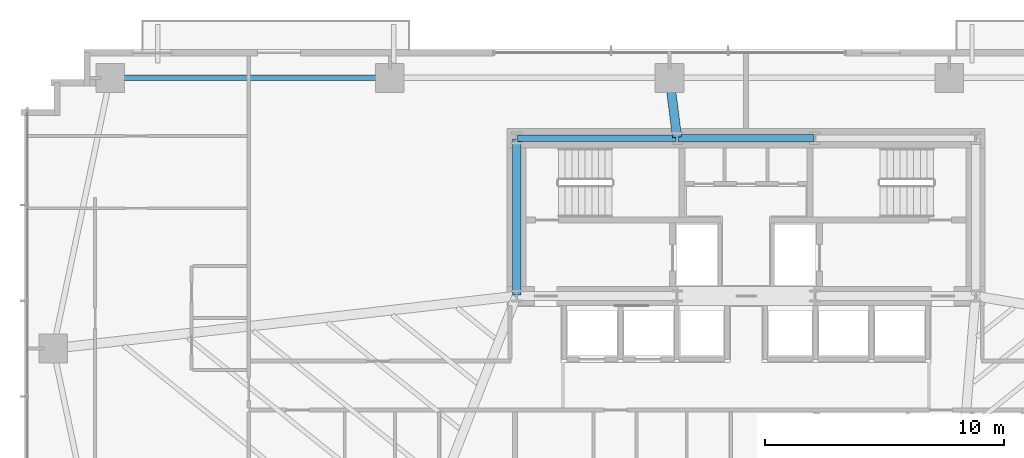
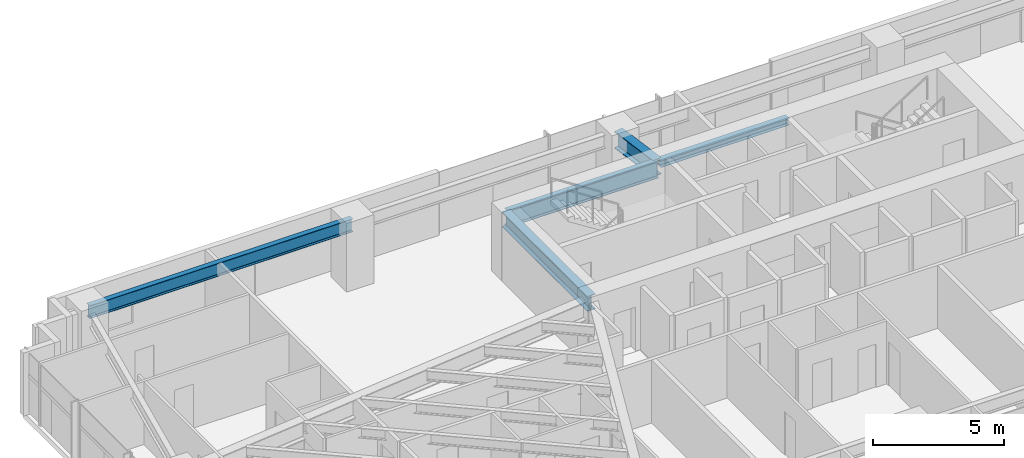
# One storey, part 9 of 25: 5 beams.
"""IFC4 building model written with IfcOpenShell, lengths in metres."""

from ifc_helpers import new_model, si_unit, direction, frame, origin, origin_2d, place, context, subcontext, project, spatial, i_section, extrude, source, transform, mapped, material, material_profile, profile_set, type_object, type_shapes, element, save


model = new_model("IFC4")

# Units and contexts
model_context = context("Model", 3, precision=1e-05, world=origin(), true_north=direction((0.0, 1.0)))
body_context = subcontext(model_context, "Body", "Model", "MODEL_VIEW")
ifc_project = project(units=[si_unit("LENGTHUNIT", "METRE"), si_unit("AREAUNIT", "SQUARE_METRE"), si_unit("VOLUMEUNIT", "CUBIC_METRE"), si_unit("PLANEANGLEUNIT", "RADIAN"), si_unit("MASSUNIT", "GRAM", prefix="KILO")], contexts=[model_context])

# Site, building, storey
site_placement = place(None, origin())
site = spatial("IfcSite", under=ifc_project, at=site_placement, CompositionType="ELEMENT")
building_placement = place(site_placement, origin())
building = spatial("IfcBuilding", under=site, at=building_placement, Name="Astriad Promenade Condominiums", CompositionType="ELEMENT")
storey_placement = place(building_placement, frame((0.0, 0.0, 42.199951171875)))
storey = spatial("IfcBuildingStorey", under=building, at=storey_placement, Name="L11", CompositionType="ELEMENT", Elevation=42.199951171875)

# Beams
ifc_material = material(Name="Steel ASTM A992 Grade 50", Category="steel")
ifc_material_profile_1 = material_profile(ifc_material, i_section(OverallWidth=0.267822265625, OverallDepth=0.76953125, WebThickness=0.015625, FlangeThickness=0.025390625, FilletRadius=0.021484375, at=origin_2d()), Name="W30X132")
ifc_profile_set_1 = profile_set([ifc_material_profile_1], Name="Steel ASTM A992 Grade 50")
beam_type_1 = type_object("IfcBeamType", Name="STEEL FLOOR GIRDER W30X132", PredefinedType="BEAM", material=ifc_profile_set_1)
shared_shape_1 = source(origin(), body_context, "Body", "SweptSolid", [
    extrude(i_section(OverallWidth=0.267822265625, OverallDepth=0.76953125, WebThickness=0.015625, FlangeThickness=0.025390625, FilletRadius=0.021484375, at=origin_2d()), origin(), (0.0, 0.0, 1.0), 6.64013671875),
])
type_shapes(beam_type_1, [shared_shape_1])
beam_1_placement = place(storey_placement, frame((26.43994140625, 24.0, 2.55517578125), z_axis=(1.0, 0.0, 0.0), x_axis=(0.0, 1.0, 0.0)))
element("IfcBeam", 1, at=beam_1_placement, inside=storey, type_object=beam_type_1, Name="Core Ring Beam CG-N1-L11", PredefinedType="BEAM", context=body_context, shape_type="MappedRepresentation", body=[
    mapped(shared_shape_1, transform((0.0, 0.0, 0.0), scale=1.0)),
])
ifc_material_profile_2 = material_profile(ifc_material, i_section(OverallWidth=0.3046875, OverallDepth=0.307861328125, WebThickness=0.010009765625, FlangeThickness=0.015380859375, FilletRadius=0.01513671875, at=origin_2d()), Name="W12X65")
ifc_profile_set_2 = profile_set([ifc_material_profile_2], Name="Steel ASTM A992 Grade 50")
beam_type_2 = type_object("IfcBeamType", Name="STEEL OPENING LINTEL W12X65", PredefinedType="LINTEL", material=ifc_profile_set_2)
shared_shape_2 = source(origin(), body_context, "Body", "SweptSolid", [
    extrude(i_section(OverallWidth=0.3046875, OverallDepth=0.307861328125, WebThickness=0.010009765625, FlangeThickness=0.015380859375, FilletRadius=0.01513671875, at=origin_2d()), origin(), (0.0, 0.0, 1.0), 5.68017578125),
])
type_shapes(beam_type_2, [shared_shape_2])
beam_2_placement = place(storey_placement, frame((33.159912109375, 24.0, 2.7861328125), z_axis=(1.0, 0.0, 0.0), x_axis=(0.0, 1.0, 0.0)))
element("IfcBeam", 2, at=beam_2_placement, inside=storey, type_object=beam_type_2, Name="Core Ring Beam CG-N2-L11", PredefinedType="LINTEL", context=body_context, shape_type="MappedRepresentation", body=[
    mapped(shared_shape_2, transform((0.0, 0.0, 0.0), scale=1.0)),
])
ifc_material_profile_3 = material_profile(ifc_material, i_section(OverallWidth=0.35791015625, OverallDepth=0.706298828125, WebThickness=0.018310546875, FlangeThickness=0.0302734375, FilletRadius=0.020263671875, at=origin_2d()), Name="W27X178")
ifc_profile_set_3 = profile_set([ifc_material_profile_3], Name="Steel ASTM A992 Grade 50")
beam_type_3 = type_object("IfcBeamType", Name="STEEL FLOOR GIRDER W27X178", PredefinedType="BEAM", material=ifc_profile_set_3)
shared_shape_3 = source(origin(), body_context, "Body", "SweptSolid", [
    extrude(i_section(OverallWidth=0.35791015625, OverallDepth=0.706298828125, WebThickness=0.018310546875, FlangeThickness=0.0302734375, FilletRadius=0.020263671875, at=origin_2d()), origin(), (0.0, 0.0, 1.0), 6.52001953125),
])
type_shapes(beam_type_3, [shared_shape_3])
beam_3_placement = place(storey_placement, frame((26.39990234375, 17.43994140625, 2.5869140625), z_axis=(0.0, 1.0, 0.0), x_axis=(-1.0, 0.0, 0.0)))
element("IfcBeam", 3, at=beam_3_placement, inside=storey, type_object=beam_type_3, Name="Core Ring Beam CG-W1-L11", PredefinedType="BEAM", context=body_context, shape_type="MappedRepresentation", body=[
    mapped(shared_shape_3, transform((0.0, 0.0, 0.0), scale=1.0)),
])
ifc_material_profile_4 = material_profile(ifc_material, i_section(OverallWidth=0.22900390625, OverallDepth=0.612060546875, WebThickness=0.011962890625, FlangeThickness=0.01953125, FilletRadius=0.017822265625, at=origin_2d()), Name="W24X84")
ifc_profile_set_4 = profile_set([ifc_material_profile_4], Name="Steel ASTM A992 Grade 50")
beam_type_4 = type_object("IfcBeamType", Name="STEEL SPANDREL BEAM W24X84", PredefinedType="SPANDREL", material=ifc_profile_set_4)
shared_shape_4 = source(origin(), body_context, "Body", "SweptSolid", [
    extrude(i_section(OverallWidth=0.22900390625, OverallDepth=0.612060546875, WebThickness=0.011962890625, FlangeThickness=0.01953125, FilletRadius=0.017822265625, at=origin_2d()), origin(), (0.0, 0.0, 1.0), 11.6201171875),
])
type_shapes(beam_type_4, [shared_shape_4])
beam_4_placement = place(storey_placement, frame((21.06005859375, 26.52001953125, 2.634033203125), z_axis=(-1.0, 0.0, 0.0), x_axis=(0.0, -1.0, 0.0)))
element("IfcBeam", 4, at=beam_4_placement, inside=storey, type_object=beam_type_4, Name="Perimeter Spandrel Beam SP-N1-L11", PredefinedType="SPANDREL", context=body_context, shape_type="MappedRepresentation", body=[
    mapped(shared_shape_4, transform((0.0, 0.0, 0.0), scale=1.0)),
])
ifc_material_profile_5 = material_profile(ifc_material, i_section(OverallWidth=0.3837890625, OverallDepth=0.785888671875, WebThickness=0.019775390625, FlangeThickness=0.033447265625, FilletRadius=0.021484375, at=origin_2d()), Name="W30X211")
ifc_profile_set_5 = profile_set([ifc_material_profile_5], Name="Steel ASTM A992 Grade 50")
beam_type_5 = type_object("IfcBeamType", Name="STEEL FLOOR GIRDER W30X211", PredefinedType="BEAM", material=ifc_profile_set_5)
shared_shape_5 = source(origin(), body_context, "Body", "SweptSolid", [
    extrude(i_section(OverallWidth=0.3837890625, OverallDepth=0.785888671875, WebThickness=0.019775390625, FlangeThickness=0.033447265625, FilletRadius=0.021484375, at=origin_2d()), origin(), (0.0, 0.0, 1.0), 2.4599609375),
])
type_shapes(beam_type_5, [shared_shape_5])
beam_5_placement = place(storey_placement, frame((32.804931640625, 26.480224609375, 2.547119140625), z_axis=(0.126037648346, -0.992025458947, 0.0), x_axis=(0.992025458947, 0.126037648346, 0.0)))
element("IfcBeam", 5, at=beam_5_placement, inside=storey, type_object=beam_type_5, Name="Primary Floor Girder PG-NC-L11", PredefinedType="BEAM", context=body_context, shape_type="MappedRepresentation", body=[
    mapped(shared_shape_5, transform((0.0, 0.0, 0.0), scale=1.0)),
])

save(model, "model.ifc")
